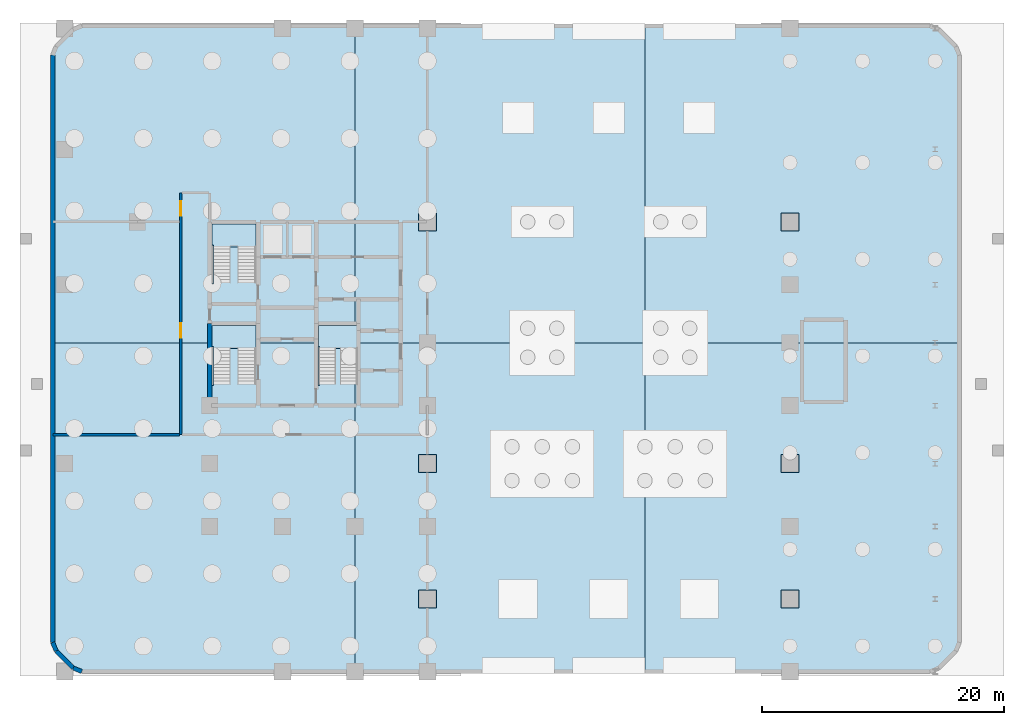
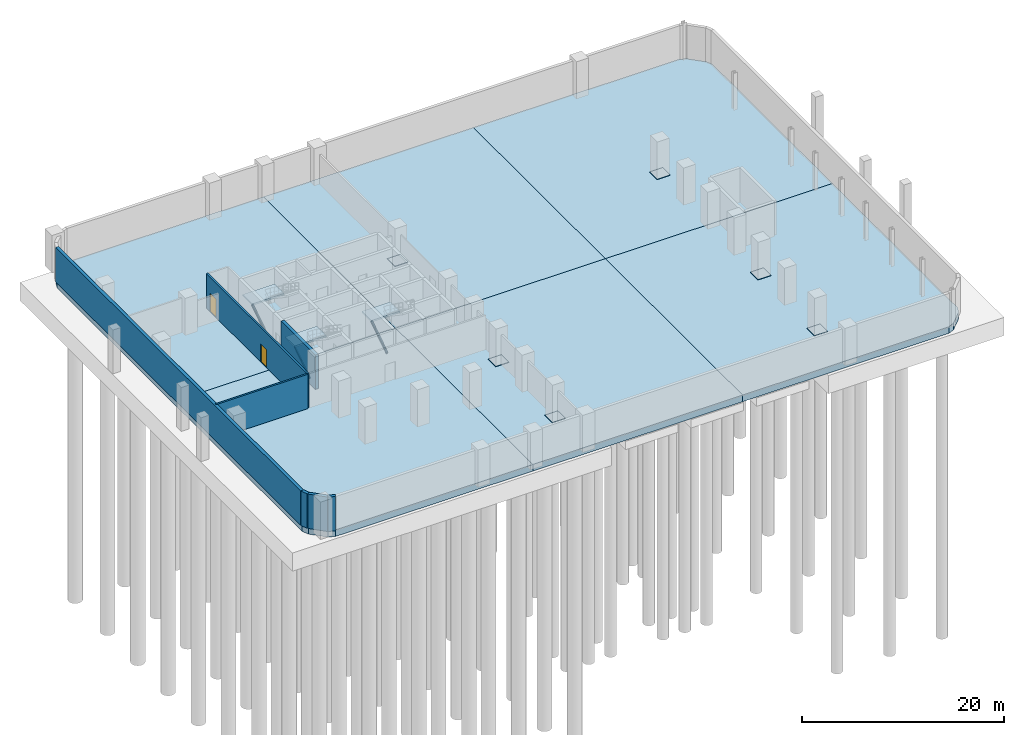
# One storey, part 3 of 8: 9 slabs, 7 walls, 6 plates, 3 members, 2 doors, 2 openings, 3 elements without a shape of their own.
"""IFC4 building model written with IfcOpenShell, lengths in metres."""

from ifc_helpers import new_model, si_unit, direction, frame, frame_2d, origin, origin_2d, place, context, subcontext, project, spatial, polyline, rectangle, i_section, outline, extrude, material, layer, layer_set, material_profile, profile_set, type_object, element, fill, aggregate, save


model = new_model("IFC4")

# Units and contexts
model_context = context("Model", 3, precision=1e-05, world=origin(), true_north=direction((0.0, 1.0)))
body_context = subcontext(model_context, "Body", "Model", "MODEL_VIEW")
ifc_project = project(units=[si_unit("LENGTHUNIT", "METRE"), si_unit("AREAUNIT", "SQUARE_METRE"), si_unit("VOLUMEUNIT", "CUBIC_METRE"), si_unit("PLANEANGLEUNIT", "RADIAN"), si_unit("MASSUNIT", "GRAM", prefix="KILO")], contexts=[model_context])

# Site, building, storey
site_placement = place(None, origin())
site = spatial("IfcSite", under=ifc_project, at=site_placement, CompositionType="ELEMENT")
building_placement = place(site_placement, origin())
building = spatial("IfcBuilding", under=site, at=building_placement, Name="Keshet Zoharim Tower", CompositionType="ELEMENT")
storey_placement = place(building_placement, frame((0.0, 0.0, -9.0)))
storey = spatial("IfcBuildingStorey", under=building, at=storey_placement, Name="B2", CompositionType="ELEMENT", Elevation=-9.0)

# Members
ifc_material_1 = material(Name="Steel S355", Category="steel")
ifc_material_profile = material_profile(ifc_material_1, i_section(OverallWidth=0.1201171875, OverallDepth=0.239990234375, WebThickness=0.006103515625, FlangeThickness=0.009765625, FilletRadius=0.014892578125, at=origin_2d()), Name="IPE240")
ifc_profile_set = profile_set([ifc_material_profile], Name="Steel S355")
member_type = type_object("IfcMemberType", Name="MB-STRG-IP240", PredefinedType="STRINGER", material=ifc_profile_set)
member_1_placement = place(storey_placement, frame((15.22998046875, 24.43994140625, 0.1201171875), z_axis=(0.0, 0.837483795702, 0.546462159656), x_axis=(-1.0, 0.0, 0.0)))
element("IfcMember", 1, at=member_1_placement, inside=storey, type_object=member_type, Name="B2 ST-01 Flight Steel Stringer", PredefinedType="STRINGER", context=body_context, shape_type="SweptSolid", body=[
    extrude(i_section(OverallWidth=0.1201171875, OverallDepth=0.239990234375, WebThickness=0.006103515625, FlangeThickness=0.009765625, FilletRadius=0.014892578125, at=origin_2d()), origin(), (0.0, 0.0, 1.0), 3.677734375),
])
member_2_placement = place(storey_placement, frame((15.22998046875, 32.840087890625, 0.1201171875), z_axis=(0.0, 0.837463970796, 0.546492541228), x_axis=(-1.0, 0.0, 0.0)))
element("IfcMember", 2, at=member_2_placement, inside=storey, type_object=member_type, Name="B2 ST-02 Flight Steel Stringer", PredefinedType="STRINGER", context=body_context, shape_type="SweptSolid", body=[
    extrude(i_section(OverallWidth=0.1201171875, OverallDepth=0.239990234375, WebThickness=0.006103515625, FlangeThickness=0.009765625, FilletRadius=0.014892578125, at=origin_2d()), origin(), (0.0, 0.0, 1.0), 3.677490234375),
])
member_3_placement = place(storey_placement, frame((24.030029296875, 24.43994140625, 0.1201171875), z_axis=(0.0, 0.837483795702, 0.546462159656), x_axis=(-1.0, 0.0, 0.0)))
element("IfcMember", 3, at=member_3_placement, inside=storey, type_object=member_type, Name="B2 ST-03 Flight Steel Stringer", PredefinedType="STRINGER", context=body_context, shape_type="SweptSolid", body=[
    extrude(i_section(OverallWidth=0.1201171875, OverallDepth=0.239990234375, WebThickness=0.006103515625, FlangeThickness=0.009765625, FilletRadius=0.014892578125, at=origin_2d()), origin(), (0.0, 0.0, 1.0), 3.677734375),
])

# Plates
ifc_layer_1 = layer(ifc_material_1, 0.0400390625)
ifc_layer_set_1 = layer_set([ifc_layer_1], Name="Steel S355")
plate_type = type_object("IfcPlateType", Name="PL-BASE-40", PredefinedType="USERDEFINED", material=ifc_layer_set_1)
for number, where, z_axis, x_axis, name in (
    (4, (33.0, 6.699951171875, 0.0), (0.0, 0.0, 1.0), (1.0, 0.0, 0.0), "Arch Pier Anchor Base Plate 01"),
    (5, (33.0, 17.89990234375, 0.0), (0.0, 0.0, 1.0), (1.0, 0.0, 0.0), "Arch Pier Anchor Base Plate 02"),
    (6, (33.0, 37.89990234375, 0.0), (0.0, 0.0, 1.0), (1.0, 0.0, 0.0), "Arch Pier Anchor Base Plate 03"),
    (7, (63.0, 6.699951171875, 0.0), (0.0, 0.0, 1.0), (1.0, 0.0, 0.0), "Arch Pier Anchor Base Plate 04"),
    (8, (63.0, 17.89990234375, 0.0), (0.0, 0.0, 1.0), (1.0, 0.0, 0.0), "Arch Pier Anchor Base Plate 05"),
    (9, (63.0, 37.89990234375, 0.0), (0.0, 0.0, 1.0), (1.0, 0.0, 0.0), "Arch Pier Anchor Base Plate 06"),
):
    element("IfcPlate", number, at=place(storey_placement, frame(where, z_axis=z_axis, x_axis=x_axis)), inside=storey, type_object=plate_type, Name=name, ObjectType="BASE_PLATE", PredefinedType="USERDEFINED", context=body_context, shape_type="SweptSolid", body=[
        extrude(rectangle(XDim=1.5, YDim=1.5, at=origin_2d()), origin(), (0.0, 0.0, 1.0), 0.0400390625),
    ])

# Slabs
ifc_material_2 = material(Name="Concrete C50/60", Category="concrete")
ifc_layer_2 = layer(ifc_material_2, 0.800048828125)
ifc_layer_set_2 = layer_set([ifc_layer_2], Name="Concrete C50/60")
slab_type_1 = type_object("IfcSlabType", Name="SLB-BASE-800", PredefinedType="BASESLAB", material=ifc_layer_set_2)
slab_1_placement = place(storey_placement, frame((0.0, 0.0, -0.800048828125)))
element("IfcSlab", 10, at=slab_1_placement, inside=storey, type_object=slab_type_1, Name="Basement Base Slab Panel 1", PredefinedType="BASESLAB", context=body_context, shape_type="SweptSolid", body=[
    extrude(outline(polyline([(2.0, 3.114013671875), (2.0, 27.89990234375), (27.0, 27.89990234375), (27.0, 0.699951171875), (4.4140625, 0.699951171875), (3.70703125, 0.992919921875), (2.29296875, 2.406982421875), (2.0, 3.114013671875)])), origin(), (0.0, 0.0, 1.0), 0.800048828125),
])
slab_2_placement = place(storey_placement, frame((0.0, 0.0, -0.800048828125)))
element("IfcSlab", 11, at=slab_2_placement, inside=storey, type_object=slab_type_1, Name="Basement Base Slab Panel 2", PredefinedType="BASESLAB", context=body_context, shape_type="SweptSolid", body=[
    extrude(outline(polyline([(2.0, 51.68603515625), (2.29296875, 52.39306640625), (3.70703125, 53.806884765625), (4.4140625, 54.10009765625), (27.0, 54.10009765625), (27.0, 27.89990234375), (2.0, 27.89990234375), (2.0, 51.68603515625)])), origin(), (0.0, 0.0, 1.0), 0.800048828125),
])
slab_3_placement = place(storey_placement, frame((0.0, 0.0, -0.800048828125)))
element("IfcSlab", 12, at=slab_3_placement, inside=storey, type_object=slab_type_1, Name="Basement Base Slab Panel 3", PredefinedType="BASESLAB", context=body_context, shape_type="SweptSolid", body=[
    extrude(outline(polyline([(27.0, 0.699951171875), (27.0, 27.89990234375), (51.0, 27.89990234375), (51.0, 0.699951171875), (27.0, 0.699951171875)])), origin(), (0.0, 0.0, 1.0), 0.800048828125),
])
slab_4_placement = place(storey_placement, frame((0.0, 0.0, -0.800048828125)))
element("IfcSlab", 13, at=slab_4_placement, inside=storey, type_object=slab_type_1, Name="Basement Base Slab Panel 4", PredefinedType="BASESLAB", context=body_context, shape_type="SweptSolid", body=[
    extrude(outline(polyline([(51.0, 54.10009765625), (51.0, 27.89990234375), (27.0, 27.89990234375), (27.0, 54.10009765625), (51.0, 54.10009765625)])), origin(), (0.0, 0.0, 1.0), 0.800048828125),
])
slab_5_placement = place(storey_placement, frame((0.0, 0.0, -0.800048828125)))
element("IfcSlab", 14, at=slab_5_placement, inside=storey, type_object=slab_type_1, Name="Basement Base Slab Panel 5", PredefinedType="BASESLAB", context=body_context, shape_type="SweptSolid", body=[
    extrude(outline(polyline([(77.0, 3.114013671875), (76.70703125, 2.406982421875), (75.29296875, 0.992919921875), (74.5859375, 0.699951171875), (51.0, 0.699951171875), (51.0, 27.89990234375), (77.0, 27.89990234375), (77.0, 3.114013671875)])), origin(), (0.0, 0.0, 1.0), 0.800048828125),
])
slab_6_placement = place(storey_placement, frame((0.0, 0.0, -0.800048828125)))
element("IfcSlab", 15, at=slab_6_placement, inside=storey, type_object=slab_type_1, Name="Basement Base Slab Panel 6", PredefinedType="BASESLAB", context=body_context, shape_type="SweptSolid", body=[
    extrude(outline(polyline([(74.5859375, 54.10009765625), (75.29296875, 53.806884765625), (76.70703125, 52.39306640625), (77.0, 51.68603515625), (77.0, 27.89990234375), (51.0, 27.89990234375), (51.0, 54.10009765625), (74.5859375, 54.10009765625)])), origin(), (0.0, 0.0, 1.0), 0.800048828125),
])

# Stair, slab
stair_type = type_object("IfcStairType", Name="STR-EXIT-135", PredefinedType="HALF_TURN_STAIR", material=ifc_material_2)
stair_1_placement = place(storey_placement, origin())
stair_1 = element("IfcStair", 16, at=stair_1_placement, inside=storey, type_object=stair_type, Name="B2 Enclosed Exit Stair ST-01", PredefinedType="HALF_TURN_STAIR")
ifc_layer_3 = layer(ifc_material_2, 0.199951171875)
ifc_layer_set_3 = layer_set([ifc_layer_3], Name="Concrete C50/60")
slab_type_2 = type_object("IfcSlabType", Name="SLB-LND-200", PredefinedType="LANDING", material=ifc_layer_set_3)
slab_7_placement = place(storey_placement, frame((0.0, 0.0, 2.050048828125)))
slab_7 = element("IfcSlab", 17, at=slab_7_placement, type_object=slab_type_2, Name="ST-01 landing 1", PredefinedType="LANDING", context=body_context, shape_type="SweptSolid", body=[
    extrude(outline(polyline([(15.179931640625, 27.43994140625), (18.820068359375, 27.43994140625), (18.820068359375, 29.320068359375), (15.179931640625, 29.320068359375), (15.179931640625, 27.43994140625)])), origin(), (0.0, 0.0, 1.0), 0.199951171875),
])
aggregate(stair_1, [slab_7])

stair_2_placement = place(storey_placement, origin())
stair_2 = element("IfcStair", 18, at=stair_2_placement, inside=storey, type_object=stair_type, Name="B2 Enclosed Exit Stair ST-02", PredefinedType="HALF_TURN_STAIR")
slab_8_placement = place(storey_placement, frame((0.0, 0.0, 2.050048828125)))
slab_8 = element("IfcSlab", 19, at=slab_8_placement, type_object=slab_type_2, Name="ST-02 landing 1", PredefinedType="LANDING", context=body_context, shape_type="SweptSolid", body=[
    extrude(outline(polyline([(15.179931640625, 35.840087890625), (18.820068359375, 35.840087890625), (18.820068359375, 37.719970703125), (15.179931640625, 37.719970703125), (15.179931640625, 35.840087890625)])), origin(), (0.0, 0.0, 1.0), 0.199951171875),
])
aggregate(stair_2, [slab_8])

stair_3_placement = place(storey_placement, origin())
stair_3 = element("IfcStair", 20, at=stair_3_placement, inside=storey, type_object=stair_type, Name="B2 Enclosed Exit Stair ST-03", PredefinedType="HALF_TURN_STAIR")
slab_9_placement = place(storey_placement, frame((0.0, 0.0, 2.050048828125)))
slab_9 = element("IfcSlab", 21, at=slab_9_placement, type_object=slab_type_2, Name="ST-03 landing 1", PredefinedType="LANDING", context=body_context, shape_type="SweptSolid", body=[
    extrude(outline(polyline([(23.97998046875, 27.43994140625), (27.219970703125, 27.43994140625), (27.219970703125, 29.320068359375), (23.97998046875, 29.320068359375), (23.97998046875, 27.43994140625)])), origin(), (0.0, 0.0, 1.0), 0.199951171875),
])
aggregate(stair_3, [slab_9])

# Wall
ifc_material_3 = material(Name="Concrete C60/75", Category="concrete")
ifc_layer_4 = layer(ifc_material_3, 0.35009765625)
ifc_layer_set_4 = layer_set([ifc_layer_4], Name="Concrete C60/75")
wall_type_1 = type_object("IfcWallType", Name="WL-CORE-350", PredefinedType="SHEAR", material=ifc_layer_set_4)
wall_1_placement = place(storey_placement, frame((15.0, 22.699951171875, 0.0), z_axis=(0.0, 0.0, 1.0), x_axis=(0.0, 1.0, 0.0)))
element("IfcWall", 22, at=wall_1_placement, inside=storey, type_object=wall_type_1, Name="B2 Core Shear Wall 002", PredefinedType="SHEAR", context=body_context, shape_type="SweptSolid", body=[
    extrude(rectangle(XDim=6.800048828125, YDim=0.35009765625, at=frame_2d((3.39990234375, 0.0))), origin(), (0.0, 0.0, 1.0), 4.159912109375),
])

# Wall, openings, doors
ifc_layer_5 = layer(ifc_material_2, 0.199951171875)
ifc_layer_set_5 = layer_set([ifc_layer_5], Name="Concrete C50/60")
wall_type_2 = type_object("IfcWallType", Name="WL-FIRE-200", PredefinedType="STANDARD", material=ifc_layer_set_5)
wall_2_placement = place(storey_placement, frame((12.60009765625, 20.300048828125, 0.0), z_axis=(0.0, 0.0, 1.0), x_axis=(0.0, 1.0, 0.0)))
wall_2 = element("IfcWall", 23, at=wall_2_placement, inside=storey, type_object=wall_type_2, Name="B2 Interior Wall 001", PredefinedType="STANDARD", context=body_context, shape_type="SweptSolid", body=[
    extrude(rectangle(XDim=20.0, YDim=0.199951171875, at=frame_2d((10.0, 0.0))), origin(), (0.0, 0.0, 1.0), 4.159912109375),
])
opening_1_placement = place(wall_2_placement, frame((8.030029296875, 0.0, 0.0)))
opening_1 = element("IfcOpeningElement", 24, at=opening_1_placement, cuts=wall_2, Name="Opening D-F612", PredefinedType="OPENING", context=body_context, shape_type="SweptSolid", body=[
    extrude(rectangle(XDim=1.199951171875, YDim=2.199951171875, at=frame_2d((0.60009765625, 1.10009765625))), frame((0.0, 0.10986328125, 0.0), z_axis=(0.0, -1.0, 0.0), x_axis=(1.0, 0.0, 0.0)), (0.0, 0.0, 1.0), 0.219970703125),
])
opening_2_placement = place(wall_2_placement, frame((18.10107421875, 0.0, 0.0)))
opening_2 = element("IfcOpeningElement", 25, at=opening_2_placement, cuts=wall_2, Name="Opening D-F612", PredefinedType="OPENING", context=body_context, shape_type="SweptSolid", body=[
    extrude(rectangle(XDim=1.199951171875, YDim=2.199951171875, at=frame_2d((0.60009765625, 1.10009765625))), frame((0.0, 0.10986328125, 0.0), z_axis=(0.0, -1.0, 0.0), x_axis=(1.0, 0.0, 0.0)), (0.0, 0.0, 1.0), 0.219970703125),
])
ifc_material_4 = material(Name="Hardwood Timber", Category="wood")
door_type = type_object("IfcDoorType", Name="DR-FD60-120", OperationType="NOTDEFINED", PredefinedType="DOOR", material=ifc_material_4)
door_1_placement = place(opening_1_placement, origin())
door_1 = element("IfcDoor", 26, at=door_1_placement, inside=storey, type_object=door_type, Name="B2 Sprinkler Booster Pump Room Fire Door", OperationType="SINGLE_SWING_RIGHT", OverallHeight=2.199951171875, OverallWidth=1.199951171875, PredefinedType="DOOR", context=body_context, shape_type="SweptSolid", body=[
    extrude(rectangle(XDim=1.199951171875, YDim=2.199951171875, at=frame_2d((0.60009765625, 1.10009765625))), frame((0.0, 0.02490234375, 0.0), z_axis=(0.0, -1.0, 0.0), x_axis=(1.0, 0.0, 0.0)), (0.0, 0.0, 1.0), 0.050048828125),
])
fill(opening_1, door_1)
door_2_placement = place(opening_2_placement, origin())
door_2 = element("IfcDoor", 27, at=door_2_placement, inside=storey, type_object=door_type, Name="B2 Fire and Domestic Water Cistern Room Fire Door", OperationType="SINGLE_SWING_LEFT", OverallHeight=2.199951171875, OverallWidth=1.199951171875, PredefinedType="DOOR", context=body_context, shape_type="SweptSolid", body=[
    extrude(rectangle(XDim=1.199951171875, YDim=2.199951171875, at=frame_2d((0.60009765625, 1.10009765625))), frame((0.0, 0.02490234375, 0.0), z_axis=(0.0, -1.0, 0.0), x_axis=(1.0, 0.0, 0.0)), (0.0, 0.0, 1.0), 0.050048828125),
])
fill(opening_2, door_2)

# Walls
wall_3_placement = place(storey_placement, frame((2.010009765625, 20.300048828125, 0.0), z_axis=(0.0, 0.0, 1.0), x_axis=(1.0, 0.0, 0.0)))
element("IfcWall", 28, at=wall_3_placement, inside=storey, type_object=wall_type_2, Name="B2 Interior Wall 031", PredefinedType="STANDARD", context=body_context, shape_type="SweptSolid", body=[
    extrude(rectangle(XDim=10.5048828125, YDim=0.199951171875, at=frame_2d((5.25244140625, 0.0))), origin(), (0.0, 0.0, 1.0), 4.159912109375),
])
ifc_layer_6 = layer(ifc_material_2, 0.35009765625)
ifc_layer_set_6 = layer_set([ifc_layer_6], Name="Concrete C50/60")
wall_type_3 = type_object("IfcWallType", Name="WL-RET-350", PredefinedType="USERDEFINED", material=ifc_layer_set_6)
wall_4_placement = place(storey_placement, frame((2.29296875, 2.406982421875, 0.0), z_axis=(0.0, 0.0, 1.0), x_axis=(-0.382802560388, 0.92383017907, 0.0)))
element("IfcWall", 29, at=wall_4_placement, inside=storey, type_object=wall_type_3, Name="B2 Perimeter Retaining Wall 01", ObjectType="RETAINING", PredefinedType="USERDEFINED", context=body_context, shape_type="SweptSolid", body=[
    extrude(rectangle(XDim=0.765380859375, YDim=0.35009765625, at=frame_2d((0.3828125, 0.0))), origin(), (0.0, 0.0, 1.0), 4.159912109375),
])
wall_5_placement = place(storey_placement, frame((2.0, 3.114013671875, 0.0), z_axis=(0.0, 0.0, 1.0), x_axis=(0.0, 1.0, 0.0)))
element("IfcWall", 30, at=wall_5_placement, inside=storey, type_object=wall_type_3, Name="B2 Perimeter Retaining Wall 02", ObjectType="RETAINING", PredefinedType="USERDEFINED", context=body_context, shape_type="SweptSolid", body=[
    extrude(rectangle(XDim=48.572021484375, YDim=0.35009765625, at=frame_2d((24.2861328125, 0.0))), origin(), (0.0, 0.0, 1.0), 4.159912109375),
])
wall_6_placement = place(storey_placement, frame((4.4140625, 0.699951171875, 0.0), z_axis=(0.0, 0.0, 1.0), x_axis=(-0.92383017907, 0.382802560388, 0.0)))
element("IfcWall", 31, at=wall_6_placement, inside=storey, type_object=wall_type_3, Name="B2 Perimeter Retaining Wall 15", ObjectType="RETAINING", PredefinedType="USERDEFINED", context=body_context, shape_type="SweptSolid", body=[
    extrude(rectangle(XDim=0.765380859375, YDim=0.35009765625, at=frame_2d((0.3828125, 0.0))), origin(), (0.0, 0.0, 1.0), 4.159912109375),
])
wall_7_placement = place(storey_placement, frame((3.70703125, 0.992919921875, 0.0), z_axis=(0.0, 0.0, 1.0), x_axis=(-0.707106781187, 0.707106781187, 0.0)))
element("IfcWall", 32, at=wall_7_placement, inside=storey, type_object=wall_type_3, Name="B2 Perimeter Retaining Wall 16", ObjectType="RETAINING", PredefinedType="USERDEFINED", context=body_context, shape_type="SweptSolid", body=[
    extrude(rectangle(XDim=1.999755859375, YDim=0.35009765625, at=frame_2d((1.0, 0.0))), origin(), (0.0, 0.0, 1.0), 4.159912109375),
])

save(model, "model.ifc")
